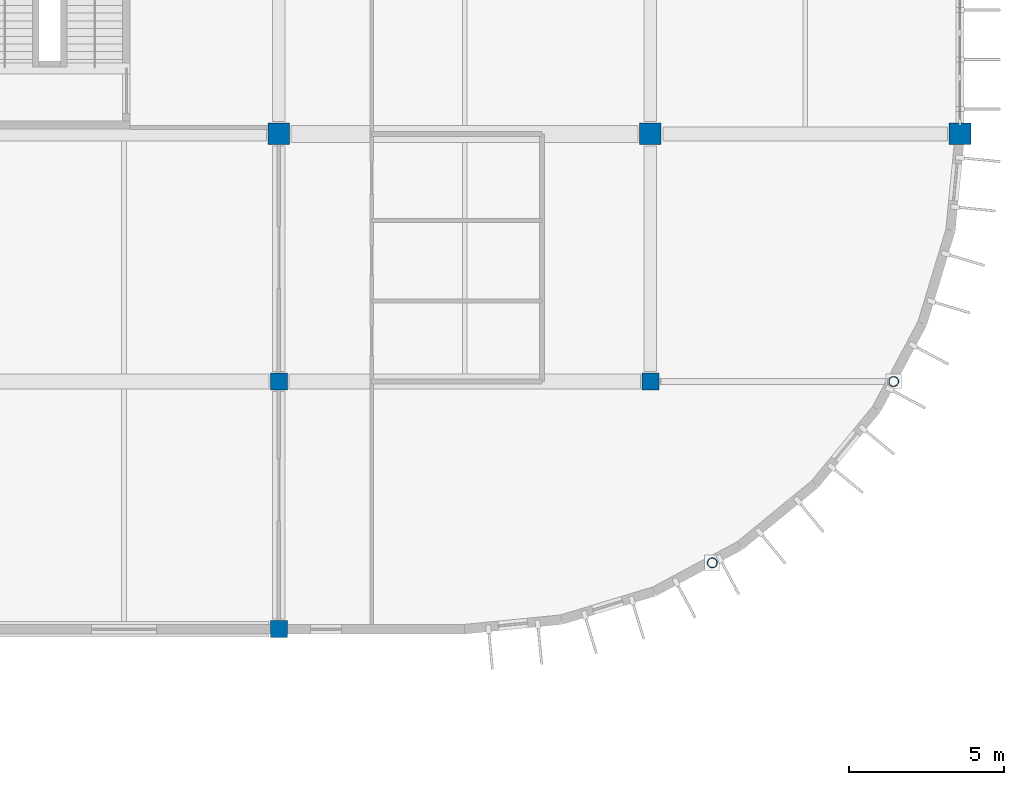
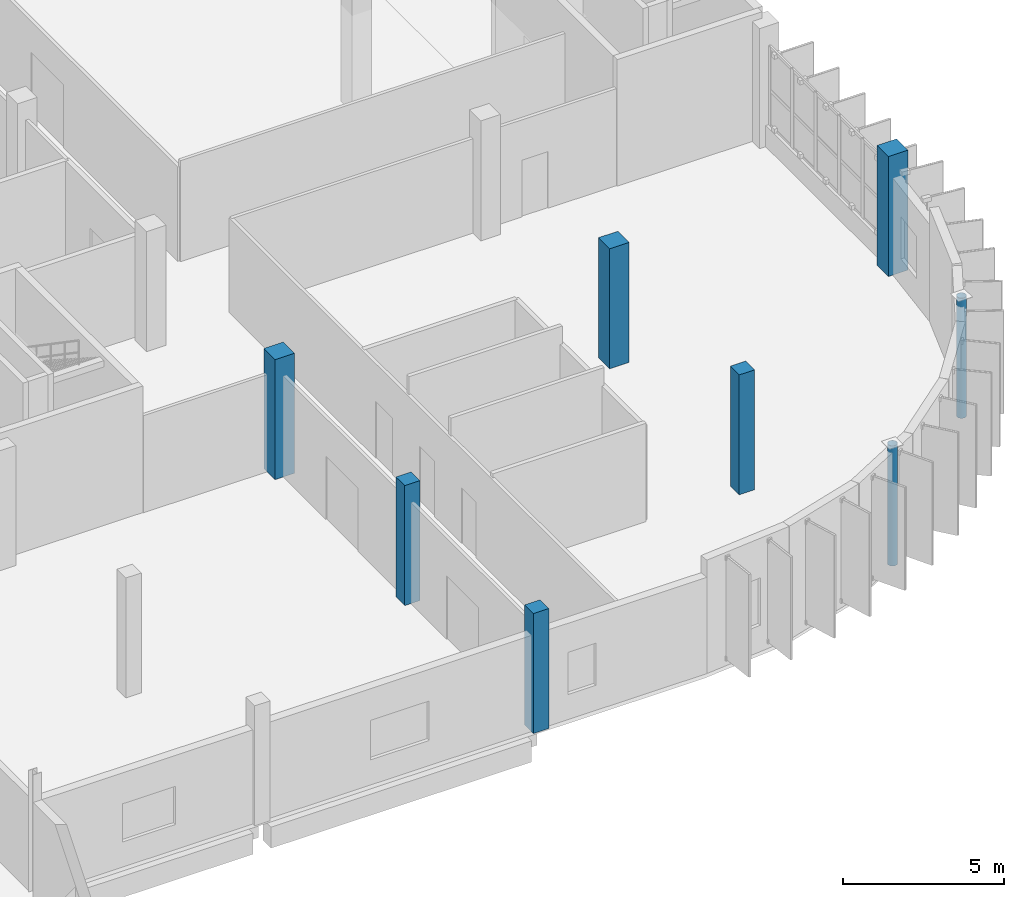
# One storey, part 10 of 93: 8 columns.
"""IFC4 building model written with IfcOpenShell, lengths in metres."""

from ifc_helpers import new_model, si_unit, direction, frame, origin, origin_2d, place, context, subcontext, project, spatial, rectangle, hollow_circle, extrude, material, material_profile, profile_set, type_object, element, save


model = new_model("IFC4")

# Units and contexts
model_context = context("Model", 3, precision=1e-05, world=origin(), true_north=direction((0.0, 1.0)))
body_context = subcontext(model_context, "Body", "Model", "MODEL_VIEW")
ifc_project = project(units=[si_unit("LENGTHUNIT", "METRE"), si_unit("AREAUNIT", "SQUARE_METRE"), si_unit("VOLUMEUNIT", "CUBIC_METRE"), si_unit("PLANEANGLEUNIT", "RADIAN"), si_unit("MASSUNIT", "GRAM", prefix="KILO")], contexts=[model_context])

# Site, building, storey
site_placement = place(None, origin())
site = spatial("IfcSite", under=ifc_project, at=site_placement, CompositionType="ELEMENT")
building_placement = place(site_placement, origin())
building = spatial("IfcBuilding", under=site, at=building_placement, Name="Drelvana Railside Aquatics Centre", CompositionType="ELEMENT")
storey_placement = place(building_placement, frame((0.0, 0.0, 5.39990234375)))
storey = spatial("IfcBuildingStorey", under=building, at=storey_placement, Name="L01", CompositionType="ELEMENT", Elevation=5.39990234375)

# Columns
ifc_material_1 = material(Name="Concrete C40/50", Category="concrete")
ifc_material_profile_1 = material_profile(ifc_material_1, rectangle(XDim=0.550048828125, YDim=0.550048828125, at=origin_2d()), Name="RC 550x550")
ifc_profile_set_1 = profile_set([ifc_material_profile_1], Name="Concrete C40/50")
column_type_1 = type_object("IfcColumnType", Name="STR-COL-RC-550x550", PredefinedType="COLUMN", material=ifc_profile_set_1)
for number, where, z_axis, x_axis, name in (
    (1, (162.0, 8.0, 0.0), (0.0, 0.0, 1.0), (1.0, 0.0, 0.0), "Column C-03 (L01)"),
    (2, (162.0, 16.0, 0.0), (0.0, 0.0, 1.0), (1.0, 0.0, 0.0), "Column C-03 (L01)"),
    (3, (174.0, 16.0, 0.0), (0.0, 0.0, 1.0), (1.0, 0.0, 0.0), "Column C-03 (L01)"),
):
    element("IfcColumn", number, at=place(storey_placement, frame(where, z_axis=z_axis, x_axis=x_axis)), inside=storey, type_object=column_type_1, Name=name, PredefinedType="COLUMN", context=body_context, shape_type="SweptSolid", body=[
        extrude(rectangle(XDim=0.550048828125, YDim=0.550048828125, at=origin_2d()), origin(), (0.0, 0.0, 1.0), 4.550048828125),
    ])
ifc_material_profile_2 = material_profile(ifc_material_1, rectangle(XDim=0.699951171875, YDim=0.699951171875, at=origin_2d()), Name="RC 700x700")
ifc_profile_set_2 = profile_set([ifc_material_profile_2], Name="Concrete C40/50")
column_type_2 = type_object("IfcColumnType", Name="STR-COL-RC-700x700", PredefinedType="COLUMN", material=ifc_profile_set_2)
for number, where, z_axis, x_axis, name in (
    (4, (162.0, 24.0, 0.0), (0.0, 0.0, 1.0), (1.0, 0.0, 0.0), "Column C-06 (L01)"),
    (5, (174.0, 24.0, 0.0), (0.0, 0.0, 1.0), (1.0, 0.0, 0.0), "Column C-06 (L01)"),
    (6, (184.0, 24.0, 0.0), (0.0, 0.0, 1.0), (1.0, 0.0, 0.0), "Column C-06 (L01)"),
):
    element("IfcColumn", number, at=place(storey_placement, frame(where, z_axis=z_axis, x_axis=x_axis)), inside=storey, type_object=column_type_2, Name=name, PredefinedType="COLUMN", context=body_context, shape_type="SweptSolid", body=[
        extrude(rectangle(XDim=0.699951171875, YDim=0.699951171875, at=origin_2d()), origin(), (0.0, 0.0, 1.0), 4.550048828125),
    ])
ifc_material_2 = material(Name="Structural steel S355", Category="steel")
ifc_material_profile_3 = material_profile(ifc_material_2, hollow_circle(Radius=0.161865234375, WallThickness=0.012451171875, at=origin_2d()), Name="CHS 323.9x12.5")
ifc_profile_set_3 = profile_set([ifc_material_profile_3], Name="Structural steel S355")
column_type_3 = type_object("IfcColumnType", Name="STR-SCOL-CHS-323.9x12.5", PredefinedType="PILASTER", material=ifc_profile_set_3)
for number, where, z_axis, x_axis, name in (
    (7, (176.0, 10.1435546875, 0.0), (0.0, 0.0, 1.0), (1.0, 0.0, 0.0), "Column SC-04 (L01)"),
    (8, (181.8564453125, 16.0, 0.0), (0.0, 0.0, 1.0), (1.0, 0.0, 0.0), "Column SC-04 (L01)"),
):
    element("IfcColumn", number, at=place(storey_placement, frame(where, z_axis=z_axis, x_axis=x_axis)), inside=storey, type_object=column_type_3, Name=name, PredefinedType="PILASTER", context=body_context, shape_type="SweptSolid", body=[
        extrude(hollow_circle(Radius=0.161865234375, WallThickness=0.012451171875, at=origin_2d()), origin(), (0.0, 0.0, 1.0), 4.550048828125),
    ])

save(model, "model.ifc")
